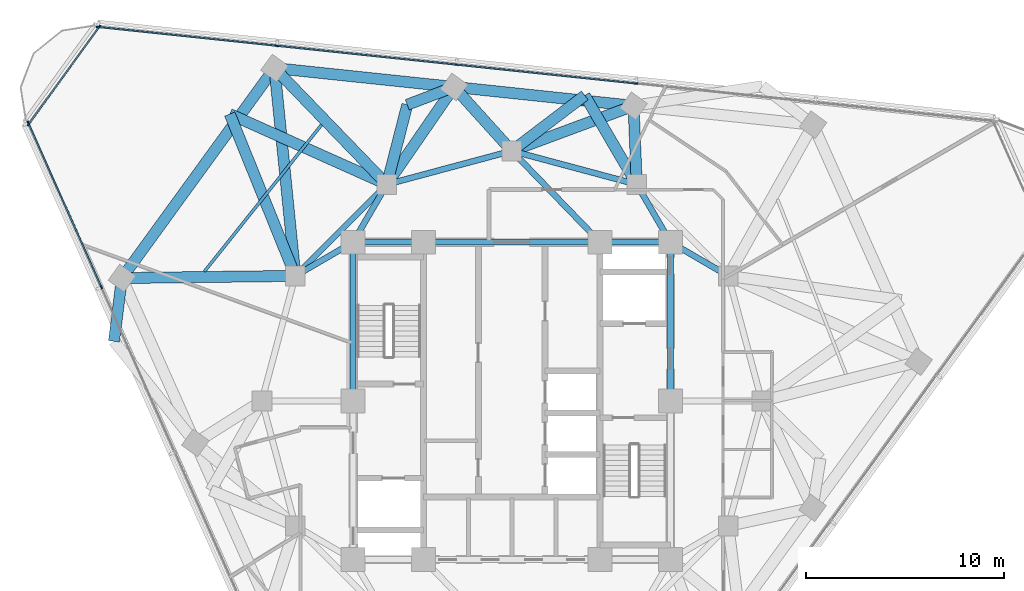
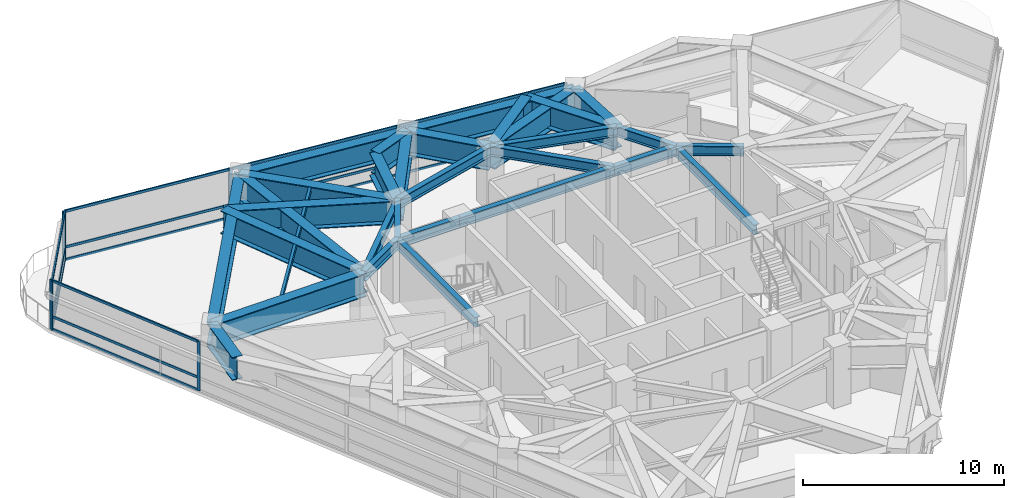
# One storey, part 5 of 14: 31 beams, 23 members, 3 elements without a shape of their own.
"""IFC4 building model written with IfcOpenShell, lengths in metres."""

from ifc_helpers import new_model, si_unit, direction, frame, origin, origin_2d, place, context, subcontext, project, spatial, rectangle, i_section, extrude, material, layer, layer_set, material_profile, profile_set, type_object, element, aggregate, save


model = new_model("IFC4")

# Units and contexts
model_context = context("Model", 3, precision=1e-05, world=origin(), true_north=direction((0.0, 1.0)))
body_context = subcontext(model_context, "Body", "Model", "MODEL_VIEW")
ifc_project = project(units=[si_unit("LENGTHUNIT", "METRE"), si_unit("AREAUNIT", "SQUARE_METRE"), si_unit("VOLUMEUNIT", "CUBIC_METRE"), si_unit("PLANEANGLEUNIT", "RADIAN"), si_unit("MASSUNIT", "GRAM", prefix="KILO")], contexts=[model_context])

# Site, building, storey
site_placement = place(None, origin())
site = spatial("IfcSite", under=ifc_project, at=site_placement, CompositionType="ELEMENT")
building_placement = place(site_placement, origin())
building = spatial("IfcBuilding", under=site, at=building_placement, Name="Terralouvre Media Tower", CompositionType="ELEMENT")
storey_placement = place(building_placement, frame((0.0, 0.0, 244.800048828125)))
storey = spatial("IfcBuildingStorey", under=building, at=storey_placement, Name="L63", CompositionType="ELEMENT", Elevation=244.800048828125)

# Beam
ifc_material_1 = material(Name="Structural steel S355J2", Category="steel")
ifc_material_profile_1 = material_profile(ifc_material_1, i_section(OverallWidth=0.14990234375, OverallDepth=0.300048828125, WebThickness=0.007080078125, FlangeThickness=0.0107421875, at=origin_2d()), Name="IPE 300")
ifc_profile_set_1 = profile_set([ifc_material_profile_1], Name="Structural steel S355J2")
beam_type_1 = type_object("IfcBeamType", Name="Composite Floor Joist J-IPE300 (IPE 300)", PredefinedType="JOIST", material=ifc_profile_set_1)
beam_1_placement = place(storey_placement, frame((-9.5888671875, 13.918701171875, 3.349853515625), z_axis=(-0.623946118223, -0.781467364357, 0.0), x_axis=(0.781467364357, -0.623946118223, 0.0)))
element("IfcBeam", 1, at=beam_1_placement, inside=storey, type_object=beam_type_1, Name="L63 Framing Beam JT-L63-05", PredefinedType="JOIST", context=body_context, shape_type="SweptSolid", body=[
    extrude(i_section(OverallWidth=0.14990234375, OverallDepth=0.300048828125, WebThickness=0.007080078125, FlangeThickness=0.0107421875, at=origin_2d()), origin(), (0.0, 0.0, 1.0), 9.465087890625),
])

# Curtain wall, members
ifc_material_2 = material(Name="Low-iron laminated double glazing with solar-control coating", Category="glass")
ifc_layer_1 = layer(ifc_material_2, 0.1650390625, Name="Upper Executive Tower Curtain Wall CW-05")
ifc_layer_set_1 = layer_set([ifc_layer_1], Name="Low-iron laminated double glazing with solar-control coating")
curtain_wall_type_1 = type_object("IfcCurtainWallType", Name="Upper Executive Tower Curtain Wall CW-05", PredefinedType="NOTDEFINED", material=ifc_layer_set_1)
curtain_wall_1_placement = place(storey_placement, origin())
curtain_wall_1 = element("IfcCurtainWall", 2, at=curtain_wall_1_placement, inside=storey, type_object=curtain_wall_type_1, Name="L63 Facade Curtain Wall F1", PredefinedType="NOTDEFINED")
ifc_material_3 = material(Name="Anodised extruded aluminium 6063-T6", Category="aluminium")
ifc_material_profile_2 = material_profile(ifc_material_3, rectangle(XDim=0.074951171875, YDim=0.14990234375, at=origin_2d()), Name="ALU 75x150")
ifc_profile_set_2 = profile_set([ifc_material_profile_2], Name="Anodised extruded aluminium 6063-T6")
member_type_1 = type_object("IfcMemberType", Name="Curtain-Wall Horizontal Transom TR-150", PredefinedType="USERDEFINED", material=ifc_profile_set_2)
member_1_placement = place(storey_placement, frame((6.21923828125, 16.002197265625, 0.037353515625), z_axis=(-0.994522041896, 0.104527069141, 0.0), x_axis=(-0.104527069141, -0.994522041896, 0.0)))
member_1 = element("IfcMember", 3, at=member_1_placement, type_object=member_type_1, Name="CW-05 transom 3.1", ObjectType="TRANSOM", PredefinedType="USERDEFINED", context=body_context, shape_type="SweptSolid", body=[
    extrude(rectangle(XDim=0.074951171875, YDim=0.14990234375, at=origin_2d()), origin(), (0.0, 0.0, 1.0), 9.025146484375),
])
member_2_placement = place(storey_placement, frame((6.21923828125, 16.002197265625, 0.800048828125), z_axis=(-0.994522041896, 0.104527069141, 0.0), x_axis=(-0.104527069141, -0.994522041896, 0.0)))
member_2 = element("IfcMember", 4, at=member_2_placement, type_object=member_type_1, Name="CW-05 transom 3.2", ObjectType="TRANSOM", PredefinedType="USERDEFINED", context=body_context, shape_type="SweptSolid", body=[
    extrude(rectangle(XDim=0.074951171875, YDim=0.14990234375, at=origin_2d()), origin(), (0.0, 0.0, 1.0), 9.025146484375),
])
member_3_placement = place(storey_placement, frame((6.21923828125, 16.002197265625, 2.96240234375), z_axis=(-0.994522041896, 0.104527069141, 0.0), x_axis=(-0.104527069141, -0.994522041896, 0.0)))
member_3 = element("IfcMember", 5, at=member_3_placement, type_object=member_type_1, Name="CW-05 transom 3.3", ObjectType="TRANSOM", PredefinedType="USERDEFINED", context=body_context, shape_type="SweptSolid", body=[
    extrude(rectangle(XDim=0.074951171875, YDim=0.14990234375, at=origin_2d()), origin(), (0.0, 0.0, 1.0), 9.025146484375),
])
member_4_placement = place(storey_placement, frame((-2.830810546875, 16.95361328125, 0.037353515625), z_axis=(-0.994522041896, 0.104527069141, 0.0), x_axis=(-0.104527069141, -0.994522041896, 0.0)))
member_4 = element("IfcMember", 6, at=member_4_placement, type_object=member_type_1, Name="CW-05 transom 4.1", ObjectType="TRANSOM", PredefinedType="USERDEFINED", context=body_context, shape_type="SweptSolid", body=[
    extrude(rectangle(XDim=0.074951171875, YDim=0.14990234375, at=origin_2d()), origin(), (0.0, 0.0, 1.0), 9.025146484375),
])
member_5_placement = place(storey_placement, frame((-2.830810546875, 16.95361328125, 0.800048828125), z_axis=(-0.994522041896, 0.104527069141, 0.0), x_axis=(-0.104527069141, -0.994522041896, 0.0)))
member_5 = element("IfcMember", 7, at=member_5_placement, type_object=member_type_1, Name="CW-05 transom 4.2", ObjectType="TRANSOM", PredefinedType="USERDEFINED", context=body_context, shape_type="SweptSolid", body=[
    extrude(rectangle(XDim=0.074951171875, YDim=0.14990234375, at=origin_2d()), origin(), (0.0, 0.0, 1.0), 9.025146484375),
])
member_6_placement = place(storey_placement, frame((-2.830810546875, 16.95361328125, 2.96240234375), z_axis=(-0.994522041896, 0.104527069141, 0.0), x_axis=(-0.104527069141, -0.994522041896, 0.0)))
member_6 = element("IfcMember", 8, at=member_6_placement, type_object=member_type_1, Name="CW-05 transom 4.3", ObjectType="TRANSOM", PredefinedType="USERDEFINED", context=body_context, shape_type="SweptSolid", body=[
    extrude(rectangle(XDim=0.074951171875, YDim=0.14990234375, at=origin_2d()), origin(), (0.0, 0.0, 1.0), 9.025146484375),
])
member_7_placement = place(storey_placement, frame((-11.881103515625, 17.90478515625, 0.037353515625), z_axis=(-0.994521813919, 0.104529238206, 0.0), x_axis=(-0.104529238206, -0.994521813919, 0.0)))
member_7 = element("IfcMember", 9, at=member_7_placement, type_object=member_type_1, Name="CW-05 transom 5.1", ObjectType="TRANSOM", PredefinedType="USERDEFINED", context=body_context, shape_type="SweptSolid", body=[
    extrude(rectangle(XDim=0.074951171875, YDim=0.14990234375, at=origin_2d()), origin(), (0.0, 0.0, 1.0), 8.987548828125),
])
member_8_placement = place(storey_placement, frame((-11.881103515625, 17.90478515625, 0.800048828125), z_axis=(-0.994521813919, 0.104529238206, 0.0), x_axis=(-0.104529238206, -0.994521813919, 0.0)))
member_8 = element("IfcMember", 10, at=member_8_placement, type_object=member_type_1, Name="CW-05 transom 5.2", ObjectType="TRANSOM", PredefinedType="USERDEFINED", context=body_context, shape_type="SweptSolid", body=[
    extrude(rectangle(XDim=0.074951171875, YDim=0.14990234375, at=origin_2d()), origin(), (0.0, 0.0, 1.0), 8.987548828125),
])
member_9_placement = place(storey_placement, frame((-11.881103515625, 17.90478515625, 2.96240234375), z_axis=(-0.994521813919, 0.104529238206, 0.0), x_axis=(-0.104529238206, -0.994521813919, 0.0)))
member_9 = element("IfcMember", 11, at=member_9_placement, type_object=member_type_1, Name="CW-05 transom 5.3", ObjectType="TRANSOM", PredefinedType="USERDEFINED", context=body_context, shape_type="SweptSolid", body=[
    extrude(rectangle(XDim=0.074951171875, YDim=0.14990234375, at=origin_2d()), origin(), (0.0, 0.0, 1.0), 8.987548828125),
])

curtain_wall_2_placement = place(storey_placement, origin())
curtain_wall_2 = element("IfcCurtainWall", 12, at=curtain_wall_2_placement, inside=storey, type_object=curtain_wall_type_1, Name="L63 Facade Curtain Wall F2", PredefinedType="NOTDEFINED")
member_10_placement = place(storey_placement, frame((-24.35546875, 13.97705078125, 0.037353515625), z_axis=(0.406758390963, -0.913535774549, 0.0), x_axis=(0.913535774549, 0.406758390963, 0.0)))
member_10 = element("IfcMember", 13, at=member_10_placement, type_object=member_type_1, Name="CW-05 transom 1.1", ObjectType="TRANSOM", PredefinedType="USERDEFINED", context=body_context, shape_type="SweptSolid", body=[
    extrude(rectangle(XDim=0.074951171875, YDim=0.14990234375, at=origin_2d()), origin(), (0.0, 0.0, 1.0), 8.987548828125),
])
member_11_placement = place(storey_placement, frame((-24.35546875, 13.97705078125, 0.800048828125), z_axis=(0.406758390963, -0.913535774549, 0.0), x_axis=(0.913535774549, 0.406758390963, 0.0)))
member_11 = element("IfcMember", 14, at=member_11_placement, type_object=member_type_1, Name="CW-05 transom 1.2", ObjectType="TRANSOM", PredefinedType="USERDEFINED", context=body_context, shape_type="SweptSolid", body=[
    extrude(rectangle(XDim=0.074951171875, YDim=0.14990234375, at=origin_2d()), origin(), (0.0, 0.0, 1.0), 8.987548828125),
])
member_12_placement = place(storey_placement, frame((-24.35546875, 13.97705078125, 2.96240234375), z_axis=(0.406758390963, -0.913535774549, 0.0), x_axis=(0.913535774549, 0.406758390963, 0.0)))
member_12 = element("IfcMember", 15, at=member_12_placement, type_object=member_type_1, Name="CW-05 transom 1.3", ObjectType="TRANSOM", PredefinedType="USERDEFINED", context=body_context, shape_type="SweptSolid", body=[
    extrude(rectangle(XDim=0.074951171875, YDim=0.14990234375, at=origin_2d()), origin(), (0.0, 0.0, 1.0), 8.987548828125),
])

ifc_material_4 = material(Name="Low-iron laminated double glazing with solar-control coating", Category="glass")
ifc_layer_2 = layer(ifc_material_4, 0.1650390625, Name="Rounded Wind-Corner Curved Glazing CW-04")
ifc_layer_set_2 = layer_set([ifc_layer_2], Name="Low-iron laminated double glazing with solar-control coating")
curtain_wall_type_2 = type_object("IfcCurtainWallType", Name="Rounded Wind-Corner Curved Glazing CW-04", PredefinedType="NOTDEFINED", material=ifc_layer_set_2)
curtain_wall_3_placement = place(storey_placement, origin())
curtain_wall_3 = element("IfcCurtainWall", 16, at=curtain_wall_3_placement, inside=storey, type_object=curtain_wall_type_2, Name="L63 Rounded Wind-Corner Curtain Wall C2", PredefinedType="NOTDEFINED")
member_13_placement = place(storey_placement, frame((-20.812255859375, 18.828369140625, 0.037353515625), z_axis=(-0.58777959511, -0.809021104528, 0.0), x_axis=(0.809021104528, -0.58777959511, 0.0)))
member_13 = element("IfcMember", 17, at=member_13_placement, type_object=member_type_1, Name="CW-04 transom 1.1", ObjectType="TRANSOM", PredefinedType="USERDEFINED", context=body_context, shape_type="SweptSolid", body=[
    extrude(rectangle(XDim=0.074951171875, YDim=0.14990234375, at=origin_2d()), origin(), (0.0, 0.0, 1.0), 5.99853515625),
])
member_14_placement = place(storey_placement, frame((-20.812255859375, 18.828369140625, 0.800048828125), z_axis=(-0.58777959511, -0.809021104528, 0.0), x_axis=(0.809021104528, -0.58777959511, 0.0)))
member_14 = element("IfcMember", 18, at=member_14_placement, type_object=member_type_1, Name="CW-04 transom 1.2", ObjectType="TRANSOM", PredefinedType="USERDEFINED", context=body_context, shape_type="SweptSolid", body=[
    extrude(rectangle(XDim=0.074951171875, YDim=0.14990234375, at=origin_2d()), origin(), (0.0, 0.0, 1.0), 5.99853515625),
])
member_15_placement = place(storey_placement, frame((-20.812255859375, 18.828369140625, 2.96240234375), z_axis=(-0.58777959511, -0.809021104528, 0.0), x_axis=(0.809021104528, -0.58777959511, 0.0)))
member_15 = element("IfcMember", 19, at=member_15_placement, type_object=member_type_1, Name="CW-04 transom 1.3", ObjectType="TRANSOM", PredefinedType="USERDEFINED", context=body_context, shape_type="SweptSolid", body=[
    extrude(rectangle(XDim=0.074951171875, YDim=0.14990234375, at=origin_2d()), origin(), (0.0, 0.0, 1.0), 5.99853515625),
])

# Member
ifc_material_5 = material(Name="Anodised extruded aluminium 6063-T6", Category="aluminium")
ifc_material_profile_3 = material_profile(ifc_material_5, rectangle(XDim=0.074951171875, YDim=0.179931640625, at=origin_2d()), Name="ALU 75x180")
ifc_profile_set_3 = profile_set([ifc_material_profile_3], Name="Anodised extruded aluminium 6063-T6")
member_type_2 = type_object("IfcMemberType", Name="Curtain-Wall Vertical Mullion ML-180", PredefinedType="MULLION", material=ifc_profile_set_3)
member_16_placement = place(storey_placement, frame((6.256591796875, 15.998291015625, 0.0), z_axis=(0.0, 0.0, 1.0), x_axis=(-0.104528561651, -0.994521885028, 0.0)))
member_16 = element("IfcMember", 20, at=member_16_placement, type_object=member_type_2, Name="CW-05 mullion 3", PredefinedType="MULLION", context=body_context, shape_type="SweptSolid", body=[
    extrude(rectangle(XDim=0.074951171875, YDim=0.179931640625, at=origin_2d()), origin(), (0.0, 0.0, 1.0), 3.0),
])

member_17_placement = place(storey_placement, frame((-2.793701171875, 16.949462890625, 0.0), z_axis=(0.0, 0.0, 1.0), x_axis=(-0.104528561651, -0.994521885028, 0.0)))
member_17 = element("IfcMember", 21, at=member_17_placement, type_object=member_type_2, Name="CW-05 mullion 4", PredefinedType="MULLION", context=body_context, shape_type="SweptSolid", body=[
    extrude(rectangle(XDim=0.074951171875, YDim=0.179931640625, at=origin_2d()), origin(), (0.0, 0.0, 1.0), 3.0),
])

member_18_placement = place(storey_placement, frame((-11.84375, 17.90087890625, 0.0), z_axis=(0.0, 0.0, 1.0), x_axis=(-0.104528561651, -0.994521885028, 0.0)))
member_18 = element("IfcMember", 22, at=member_18_placement, type_object=member_type_2, Name="CW-05 mullion 5", PredefinedType="MULLION", context=body_context, shape_type="SweptSolid", body=[
    extrude(rectangle(XDim=0.074951171875, YDim=0.179931640625, at=origin_2d()), origin(), (0.0, 0.0, 1.0), 3.0),
])

member_19_placement = place(storey_placement, frame((-20.856689453125, 18.84814453125, 0.0), z_axis=(0.0, 0.0, 1.0), x_axis=(-0.104528561651, -0.994521885028, 0.0)))
member_19 = element("IfcMember", 23, at=member_19_placement, type_object=member_type_2, Name="CW-05 mullion 6", PredefinedType="MULLION", context=body_context, shape_type="SweptSolid", body=[
    extrude(rectangle(XDim=0.074951171875, YDim=0.179931640625, at=origin_2d()), origin(), (0.0, 0.0, 1.0), 3.0),
])

aggregate(curtain_wall_1, [member_16, member_17, member_18, member_19, member_1, member_2, member_3, member_4, member_5, member_6, member_7, member_8, member_9])

member_20_placement = place(storey_placement, frame((-24.37060546875, 14.011474609375, 0.0), z_axis=(0.0, 0.0, 1.0), x_axis=(0.913545441365, 0.406736679636, 0.0)))
member_20 = element("IfcMember", 24, at=member_20_placement, type_object=member_type_2, Name="CW-05 mullion 1", PredefinedType="MULLION", context=body_context, shape_type="SweptSolid", body=[
    extrude(rectangle(XDim=0.074951171875, YDim=0.179931640625, at=origin_2d()), origin(), (0.0, 0.0, 1.0), 3.0),
])

member_21_placement = place(storey_placement, frame((-20.6845703125, 5.732421875, 0.0), z_axis=(0.0, 0.0, 1.0), x_axis=(0.913545441365, 0.406736679636, 0.0)))
member_21 = element("IfcMember", 25, at=member_21_placement, type_object=member_type_2, Name="CW-05 mullion 2", PredefinedType="MULLION", context=body_context, shape_type="SweptSolid", body=[
    extrude(rectangle(XDim=0.074951171875, YDim=0.179931640625, at=origin_2d()), origin(), (0.0, 0.0, 1.0), 3.0),
])

aggregate(curtain_wall_2, [member_20, member_21, member_10, member_11, member_12])

member_22_placement = place(storey_placement, frame((-20.7900390625, 18.858642578125, 0.0), z_axis=(0.0, 0.0, 1.0), x_axis=(0.809016531067, -0.58778588998, 0.0)))
member_22 = element("IfcMember", 26, at=member_22_placement, type_object=member_type_2, Name="CW-04 mullion 1", PredefinedType="MULLION", context=body_context, shape_type="SweptSolid", body=[
    extrude(rectangle(XDim=0.074951171875, YDim=0.179931640625, at=origin_2d()), origin(), (0.0, 0.0, 1.0), 3.0),
])

member_23_placement = place(storey_placement, frame((-24.360107421875, 13.94482421875, 0.0), z_axis=(0.0, 0.0, 1.0), x_axis=(0.809016531067, -0.58778588998, 0.0)))
member_23 = element("IfcMember", 27, at=member_23_placement, type_object=member_type_2, Name="CW-04 mullion 2", PredefinedType="MULLION", context=body_context, shape_type="SweptSolid", body=[
    extrude(rectangle(XDim=0.074951171875, YDim=0.179931640625, at=origin_2d()), origin(), (0.0, 0.0, 1.0), 3.0),
])

aggregate(curtain_wall_3, [member_22, member_23, member_13, member_14, member_15])

# Beams
ifc_material_6 = material(Name="Structural steel S460M", Category="steel")
ifc_material_profile_4 = material_profile(ifc_material_6, i_section(OverallWidth=0.300048828125, OverallDepth=0.60009765625, WebThickness=0.015380859375, FlangeThickness=0.030029296875, at=origin_2d()), Name="HEB 600")
ifc_profile_set_4 = profile_set([ifc_material_profile_4], Name="Structural steel S460M")
beam_type_2 = type_object("IfcBeamType", Name="Primary Floor Girder B-HEB600 (HEB 600)", PredefinedType="BEAM", material=ifc_profile_set_4)
beam_2_placement = place(storey_placement, frame((8.0, 0.0, 3.199951171875), z_axis=(0.0, 1.0, 0.0), x_axis=(-1.0, 0.0, 0.0)))
element("IfcBeam", 28, at=beam_2_placement, inside=storey, type_object=beam_type_2, Name="L63 Framing Beam BM-L63-CPR05", PredefinedType="BEAM", context=body_context, shape_type="SweptSolid", body=[
    extrude(i_section(OverallWidth=0.300048828125, OverallDepth=0.60009765625, WebThickness=0.015380859375, FlangeThickness=0.030029296875, at=origin_2d()), origin(), (0.0, 0.0, 1.0), 8.0),
])
beam_3_placement = place(storey_placement, frame((8.0, 8.0, 3.199951171875), z_axis=(-1.0, 0.0, 0.0), x_axis=(0.0, -1.0, 0.0)))
element("IfcBeam", 29, at=beam_3_placement, inside=storey, type_object=beam_type_2, Name="L63 Framing Beam BM-L63-CPR06", PredefinedType="BEAM", context=body_context, shape_type="SweptSolid", body=[
    extrude(i_section(OverallWidth=0.300048828125, OverallDepth=0.60009765625, WebThickness=0.015380859375, FlangeThickness=0.030029296875, at=origin_2d()), origin(), (0.0, 0.0, 1.0), 3.550048828125),
])
beam_4_placement = place(storey_placement, frame((4.449951171875, 8.0, 3.199951171875), z_axis=(-1.0, 0.0, 0.0), x_axis=(0.0, -1.0, 0.0)))
element("IfcBeam", 30, at=beam_4_placement, inside=storey, type_object=beam_type_2, Name="L63 Framing Beam BM-L63-CPR07", PredefinedType="BEAM", context=body_context, shape_type="SweptSolid", body=[
    extrude(i_section(OverallWidth=0.300048828125, OverallDepth=0.60009765625, WebThickness=0.015380859375, FlangeThickness=0.030029296875, at=origin_2d()), origin(), (0.0, 0.0, 1.0), 8.89990234375),
])
beam_5_placement = place(storey_placement, frame((-4.449951171875, 8.0, 3.199951171875), z_axis=(-1.0, 0.0, 0.0), x_axis=(0.0, -1.0, 0.0)))
element("IfcBeam", 31, at=beam_5_placement, inside=storey, type_object=beam_type_2, Name="L63 Framing Beam BM-L63-CPR08", PredefinedType="BEAM", context=body_context, shape_type="SweptSolid", body=[
    extrude(i_section(OverallWidth=0.300048828125, OverallDepth=0.60009765625, WebThickness=0.015380859375, FlangeThickness=0.030029296875, at=origin_2d()), origin(), (0.0, 0.0, 1.0), 3.550048828125),
])
beam_6_placement = place(storey_placement, frame((-8.0, 8.0, 3.199951171875), z_axis=(0.0, -1.0, 0.0), x_axis=(1.0, 0.0, 0.0)))
element("IfcBeam", 32, at=beam_6_placement, inside=storey, type_object=beam_type_2, Name="L63 Framing Beam BM-L63-CPR09", PredefinedType="BEAM", context=body_context, shape_type="SweptSolid", body=[
    extrude(i_section(OverallWidth=0.300048828125, OverallDepth=0.60009765625, WebThickness=0.015380859375, FlangeThickness=0.030029296875, at=origin_2d()), origin(), (0.0, 0.0, 1.0), 8.0),
])
for number, where, z_axis, x_axis, name in (
    (33, (6.300048828125, 10.911865234375, 3.199951171875), (-0.965920481897, 0.258838989821, 0.0), (-0.258838989821, -0.965920481897, 0.0), "L63 Framing Beam BM-L63-MR08"),
    (34, (0.0, 12.60009765625, 3.199951171875), (-0.965920481897, -0.258838989821, 0.0), (0.258838989821, -0.965920481897, 0.0), "L63 Framing Beam BM-L63-MR09"),
):
    element("IfcBeam", number, at=place(storey_placement, frame(where, z_axis=z_axis, x_axis=x_axis)), inside=storey, type_object=beam_type_2, Name=name, PredefinedType="BEAM", context=body_context, shape_type="SweptSolid", body=[
        extrude(i_section(OverallWidth=0.300048828125, OverallDepth=0.60009765625, WebThickness=0.015380859375, FlangeThickness=0.030029296875, at=origin_2d()), origin(), (0.0, 0.0, 1.0), 6.522216796875),
    ])
beam_7_placement = place(storey_placement, frame((-6.300048828125, 10.911865234375, 3.199951171875), z_axis=(-0.707106781187, -0.707106781187, 0.0), x_axis=(0.707106781187, -0.707106781187, 0.0)))
element("IfcBeam", 35, at=beam_7_placement, inside=storey, type_object=beam_type_2, Name="L63 Framing Beam BM-L63-MR10", PredefinedType="BEAM", context=body_context, shape_type="SweptSolid", body=[
    extrude(i_section(OverallWidth=0.300048828125, OverallDepth=0.60009765625, WebThickness=0.015380859375, FlangeThickness=0.030029296875, at=origin_2d()), origin(), (0.0, 0.0, 1.0), 6.52197265625),
])
for number, where, z_axis, x_axis, name in (
    (36, (8.0, 8.0, 3.199951171875), (0.863602894532, -0.504172629717, 0.0), (0.504172629717, 0.863602894532, 0.0), "L63 Framing Beam BM-L63-CM07"),
    (37, (8.0, 8.0, 3.199951171875), (-0.504172629717, 0.863602894532, 0.0), (-0.863602894532, -0.504172629717, 0.0), "L63 Framing Beam BM-L63-CM08"),
):
    element("IfcBeam", number, at=place(storey_placement, frame(where, z_axis=z_axis, x_axis=x_axis)), inside=storey, type_object=beam_type_2, Name=name, PredefinedType="BEAM", context=body_context, shape_type="SweptSolid", body=[
        extrude(i_section(OverallWidth=0.300048828125, OverallDepth=0.60009765625, WebThickness=0.015380859375, FlangeThickness=0.030029296875, at=origin_2d()), origin(), (0.0, 0.0, 1.0), 3.371826171875),
    ])
beam_8_placement = place(storey_placement, frame((4.449951171875, 8.0, 3.199951171875), z_axis=(-0.695279715726, 0.718739255155, 0.0), x_axis=(-0.718739255155, -0.695279715726, 0.0)))
element("IfcBeam", 38, at=beam_8_placement, inside=storey, type_object=beam_type_2, Name="L63 Framing Beam BM-L63-CM09", PredefinedType="BEAM", context=body_context, shape_type="SweptSolid", body=[
    extrude(i_section(OverallWidth=0.300048828125, OverallDepth=0.60009765625, WebThickness=0.015380859375, FlangeThickness=0.030029296875, at=origin_2d()), origin(), (0.0, 0.0, 1.0), 6.400146484375),
])
for number, where, z_axis, x_axis, name in (
    (39, (-8.0, 8.0, 3.199951171875), (0.504172629717, 0.863602894532, 0.0), (-0.863602894532, 0.504172629717, 0.0), "L63 Framing Beam BM-L63-CM10"),
    (40, (-8.0, 8.0, 3.199951171875), (-0.863602894532, -0.504172629717, 0.0), (0.504172629717, -0.863602894532, 0.0), "L63 Framing Beam BM-L63-CM11"),
):
    element("IfcBeam", number, at=place(storey_placement, frame(where, z_axis=z_axis, x_axis=x_axis)), inside=storey, type_object=beam_type_2, Name=name, PredefinedType="BEAM", context=body_context, shape_type="SweptSolid", body=[
        extrude(i_section(OverallWidth=0.300048828125, OverallDepth=0.60009765625, WebThickness=0.015380859375, FlangeThickness=0.030029296875, at=origin_2d()), origin(), (0.0, 0.0, 1.0), 3.371826171875),
    ])
ifc_material_7 = material(Name="Structural steel S460M", Category="steel")
ifc_material_profile_5 = material_profile(ifc_material_7, i_section(OverallWidth=0.56005859375, OverallDepth=1.39990234375, WebThickness=0.031982421875, FlangeThickness=0.050048828125, at=origin_2d()), Name="TG 1400x560")
ifc_profile_set_5 = profile_set([ifc_material_profile_5], Name="Structural steel S460M")
beam_type_3 = type_object("IfcBeamType", Name="Welded Transfer Girder TG-1400 (TG 1400x560)", PredefinedType="USERDEFINED", material=ifc_profile_set_5)
beam_9_placement = place(storey_placement, frame((6.138427734375, 14.87451171875, 2.800048828125), z_axis=(-0.994522199081, 0.104525573596, 0.0), x_axis=(-0.104525573596, -0.994522199081, 0.0)))
element("IfcBeam", 41, at=beam_9_placement, inside=storey, type_object=beam_type_3, Name="L63 Framing Beam BM-L63-PR09", ObjectType="TRANSFER GIRDER", PredefinedType="USERDEFINED", context=body_context, shape_type="SweptSolid", body=[
    extrude(i_section(OverallWidth=0.56005859375, OverallDepth=1.39990234375, WebThickness=0.031982421875, FlangeThickness=0.050048828125, at=origin_2d()), origin(), (0.0, 0.0, 1.0), 9.099853515625),
])
beam_10_placement = place(storey_placement, frame((-2.91162109375, 15.82568359375, 2.800048828125), z_axis=(-0.994522492191, 0.10452278472, 0.0), x_axis=(-0.10452278472, -0.994522492191, 0.0)))
element("IfcBeam", 42, at=beam_10_placement, inside=storey, type_object=beam_type_3, Name="L63 Framing Beam BM-L63-PR10", ObjectType="TRANSFER GIRDER", PredefinedType="USERDEFINED", context=body_context, shape_type="SweptSolid", body=[
    extrude(i_section(OverallWidth=0.56005859375, OverallDepth=1.39990234375, WebThickness=0.031982421875, FlangeThickness=0.050048828125, at=origin_2d()), origin(), (0.0, 0.0, 1.0), 9.10009765625),
])
beam_11_placement = place(storey_placement, frame((-11.9619140625, 16.77685546875, 2.800048828125), z_axis=(-0.587794396272, -0.809010350806, 0.0), x_axis=(0.809010350806, -0.587794396272, 0.0)))
element("IfcBeam", 43, at=beam_11_placement, inside=storey, type_object=beam_type_3, Name="L63 Framing Beam BM-L63-PR11", ObjectType="TRANSFER GIRDER", PredefinedType="USERDEFINED", context=body_context, shape_type="SweptSolid", body=[
    extrude(i_section(OverallWidth=0.56005859375, OverallDepth=1.39990234375, WebThickness=0.031982421875, FlangeThickness=0.050048828125, at=origin_2d()), origin(), (0.0, 0.0, 1.0), 13.08349609375),
])
beam_12_placement = place(storey_placement, frame((6.300048828125, 10.911865234375, 2.800048828125), z_axis=(-0.040752268141, 0.999169281274, 0.0), x_axis=(-0.999169281274, -0.040752268141, 0.0)))
element("IfcBeam", 44, at=beam_12_placement, inside=storey, type_object=beam_type_3, Name="L63 Framing Beam BM-L63-RD09", ObjectType="TRANSFER GIRDER", PredefinedType="USERDEFINED", context=body_context, shape_type="SweptSolid", body=[
    extrude(i_section(OverallWidth=0.56005859375, OverallDepth=1.39990234375, WebThickness=0.031982421875, FlangeThickness=0.050048828125, at=origin_2d()), origin(), (0.0, 0.0, 1.0), 3.9658203125),
])
beam_13_placement = place(storey_placement, frame((0.0, 12.60009765625, 2.800048828125), z_axis=(-0.670056658177, 0.742309958732, 0.0), x_axis=(-0.742309958732, -0.670056658177, 0.0)))
element("IfcBeam", 45, at=beam_13_placement, inside=storey, type_object=beam_type_3, Name="L63 Framing Beam BM-L63-RD10", ObjectType="TRANSFER GIRDER", PredefinedType="USERDEFINED", context=body_context, shape_type="SweptSolid", body=[
    extrude(i_section(OverallWidth=0.56005859375, OverallDepth=1.39990234375, WebThickness=0.031982421875, FlangeThickness=0.050048828125, at=origin_2d()), origin(), (0.0, 0.0, 1.0), 4.34521484375),
])
beam_14_placement = place(storey_placement, frame((-6.300048828125, 10.911865234375, 2.800048828125), z_axis=(-0.694538392484, 0.719455642389, 0.0), x_axis=(-0.719455642389, -0.694538392484, 0.0)))
element("IfcBeam", 46, at=beam_14_placement, inside=storey, type_object=beam_type_3, Name="L63 Framing Beam BM-L63-RD11", ObjectType="TRANSFER GIRDER", PredefinedType="USERDEFINED", context=body_context, shape_type="SweptSolid", body=[
    extrude(i_section(OverallWidth=0.56005859375, OverallDepth=1.39990234375, WebThickness=0.031982421875, FlangeThickness=0.050048828125, at=origin_2d()), origin(), (0.0, 0.0, 1.0), 8.152099609375),
])
beam_15_placement = place(storey_placement, frame((-10.911865234375, 6.300048828125, 2.800048828125), z_axis=(-0.999923796559, -0.012345083045, 0.0), x_axis=(0.012345083045, -0.999923796559, 0.0)))
element("IfcBeam", 47, at=beam_15_placement, inside=storey, type_object=beam_type_3, Name="L63 Framing Beam BM-L63-RD12", ObjectType="TRANSFER GIRDER", PredefinedType="USERDEFINED", context=body_context, shape_type="SweptSolid", body=[
    extrude(i_section(OverallWidth=0.56005859375, OverallDepth=1.39990234375, WebThickness=0.031982421875, FlangeThickness=0.050048828125, at=origin_2d()), origin(), (0.0, 0.0, 1.0), 8.7412109375),
])
beam_16_placement = place(storey_placement, frame((6.138427734375, 14.87451171875, 2.800048828125), z_axis=(-0.937702865103, -0.347438248869, 0.0), x_axis=(0.347438248869, -0.937702865103, 0.0)))
element("IfcBeam", 48, at=beam_16_placement, inside=storey, type_object=beam_type_3, Name="L63 Framing Beam BM-L63-TRC06", ObjectType="TRANSFER GIRDER", PredefinedType="USERDEFINED", context=body_context, shape_type="SweptSolid", body=[
    extrude(i_section(OverallWidth=0.56005859375, OverallDepth=1.39990234375, WebThickness=0.031982421875, FlangeThickness=0.050048828125, at=origin_2d()), origin(), (0.0, 0.0, 1.0), 6.546142578125),
])
beam_17_placement = place(storey_placement, frame((3.67919921875, 15.396240234375, 2.800048828125), z_axis=(-0.796167284329, -0.605076569836, 0.0), x_axis=(0.605076569836, -0.796167284329, 0.0)))
element("IfcBeam", 49, at=beam_17_placement, inside=storey, type_object=beam_type_3, Name="L63 Framing Beam BM-L63-TR06S1", ObjectType="TRANSFER GIRDER", PredefinedType="USERDEFINED", context=body_context, shape_type="SweptSolid", body=[
    extrude(i_section(OverallWidth=0.56005859375, OverallDepth=1.39990234375, WebThickness=0.031982421875, FlangeThickness=0.050048828125, at=origin_2d()), origin(), (0.0, 0.0, 1.0), 4.62109375),
])
beam_18_placement = place(storey_placement, frame((3.67919921875, 15.396240234375, 2.800048828125), z_axis=(0.50458394513, -0.863362636623, 0.0), x_axis=(0.863362636623, 0.50458394513, 0.0)))
element("IfcBeam", 50, at=beam_18_placement, inside=storey, type_object=beam_type_3, Name="L63 Framing Beam BM-L63-TR06S2", ObjectType="TRANSFER GIRDER", PredefinedType="USERDEFINED", context=body_context, shape_type="SweptSolid", body=[
    extrude(i_section(OverallWidth=0.56005859375, OverallDepth=1.39990234375, WebThickness=0.031982421875, FlangeThickness=0.050048828125, at=origin_2d()), origin(), (0.0, 0.0, 1.0), 5.194091796875),
])
beam_19_placement = place(storey_placement, frame((-2.91162109375, 15.82568359375, 2.800048828125), z_axis=(-0.567686119683, -0.823245084722, 0.0), x_axis=(0.823245084722, -0.567686119683, 0.0)))
element("IfcBeam", 51, at=beam_19_placement, inside=storey, type_object=beam_type_3, Name="L63 Framing Beam BM-L63-TRC07", ObjectType="TRANSFER GIRDER", PredefinedType="USERDEFINED", context=body_context, shape_type="SweptSolid", body=[
    extrude(i_section(OverallWidth=0.56005859375, OverallDepth=1.39990234375, WebThickness=0.031982421875, FlangeThickness=0.050048828125, at=origin_2d()), origin(), (0.0, 0.0, 1.0), 5.96875),
])
beam_20_placement = place(storey_placement, frame((-5.2685546875, 14.927490234375, 2.800048828125), z_axis=(0.934446327742, 0.356104002462, 0.0), x_axis=(-0.356104002462, 0.934446327742, 0.0)))
element("IfcBeam", 52, at=beam_20_placement, inside=storey, type_object=beam_type_3, Name="L63 Framing Beam BM-L63-TR07S1", ObjectType="TRANSFER GIRDER", PredefinedType="USERDEFINED", context=body_context, shape_type="SweptSolid", body=[
    extrude(i_section(OverallWidth=0.56005859375, OverallDepth=1.39990234375, WebThickness=0.031982421875, FlangeThickness=0.050048828125, at=origin_2d()), origin(), (0.0, 0.0, 1.0), 2.522216796875),
])
beam_21_placement = place(storey_placement, frame((-5.2685546875, 14.927490234375, 2.800048828125), z_axis=(-0.248793268672, -0.968556611388, 0.0), x_axis=(0.968556611388, -0.248793268672, 0.0)))
element("IfcBeam", 53, at=beam_21_placement, inside=storey, type_object=beam_type_3, Name="L63 Framing Beam BM-L63-TR07S2", ObjectType="TRANSFER GIRDER", PredefinedType="USERDEFINED", context=body_context, shape_type="SweptSolid", body=[
    extrude(i_section(OverallWidth=0.56005859375, OverallDepth=1.39990234375, WebThickness=0.031982421875, FlangeThickness=0.050048828125, at=origin_2d()), origin(), (0.0, 0.0, 1.0), 4.14599609375),
])
beam_22_placement = place(storey_placement, frame((-11.9619140625, 16.77685546875, 2.800048828125), z_axis=(0.099726401582, -0.995014896787, 0.0), x_axis=(0.995014896787, 0.099726401582, 0.0)))
element("IfcBeam", 54, at=beam_22_placement, inside=storey, type_object=beam_type_3, Name="L63 Framing Beam BM-L63-TRC08", ObjectType="TRANSFER GIRDER", PredefinedType="USERDEFINED", context=body_context, shape_type="SweptSolid", body=[
    extrude(i_section(OverallWidth=0.56005859375, OverallDepth=1.39990234375, WebThickness=0.031982421875, FlangeThickness=0.050048828125, at=origin_2d()), origin(), (0.0, 0.0, 1.0), 10.529296875),
])
beam_23_placement = place(storey_placement, frame((-14.21630859375, 14.45849609375, 2.800048828125), z_axis=(0.912596970607, -0.408860329746, 0.0), x_axis=(0.408860329746, 0.912596970607, 0.0)))
element("IfcBeam", 55, at=beam_23_placement, inside=storey, type_object=beam_type_3, Name="L63 Framing Beam BM-L63-TR08S1", ObjectType="TRANSFER GIRDER", PredefinedType="USERDEFINED", context=body_context, shape_type="SweptSolid", body=[
    extrude(i_section(OverallWidth=0.56005859375, OverallDepth=1.39990234375, WebThickness=0.031982421875, FlangeThickness=0.050048828125, at=origin_2d()), origin(), (0.0, 0.0, 1.0), 8.67431640625),
])
beam_24_placement = place(storey_placement, frame((-14.21630859375, 14.45849609375, 2.800048828125), z_axis=(0.375408935568, -0.92685928333, 0.0), x_axis=(0.92685928333, 0.375408935568, 0.0)))
element("IfcBeam", 56, at=beam_24_placement, inside=storey, type_object=beam_type_3, Name="L63 Framing Beam BM-L63-TR08S2", ObjectType="TRANSFER GIRDER", PredefinedType="USERDEFINED", context=body_context, shape_type="SweptSolid", body=[
    extrude(i_section(OverallWidth=0.56005859375, OverallDepth=1.39990234375, WebThickness=0.031982421875, FlangeThickness=0.050048828125, at=origin_2d()), origin(), (0.0, 0.0, 1.0), 8.80224609375),
])
beam_25_placement = place(storey_placement, frame((-20.05322265625, 3.002685546875, 2.800048828125), z_axis=(0.124707728184, 0.992193520706, 0.0), x_axis=(-0.992193520706, 0.124707728184, 0.0)))
element("IfcBeam", 57, at=beam_25_placement, inside=storey, type_object=beam_type_3, Name="L63 Framing Beam BM-L63-TR09S1", ObjectType="TRANSFER GIRDER", PredefinedType="USERDEFINED", context=body_context, shape_type="SweptSolid", body=[
    extrude(i_section(OverallWidth=0.56005859375, OverallDepth=1.39990234375, WebThickness=0.031982421875, FlangeThickness=0.050048828125, at=origin_2d()), origin(), (0.0, 0.0, 1.0), 3.214599609375),
])

save(model, "model.ifc")
